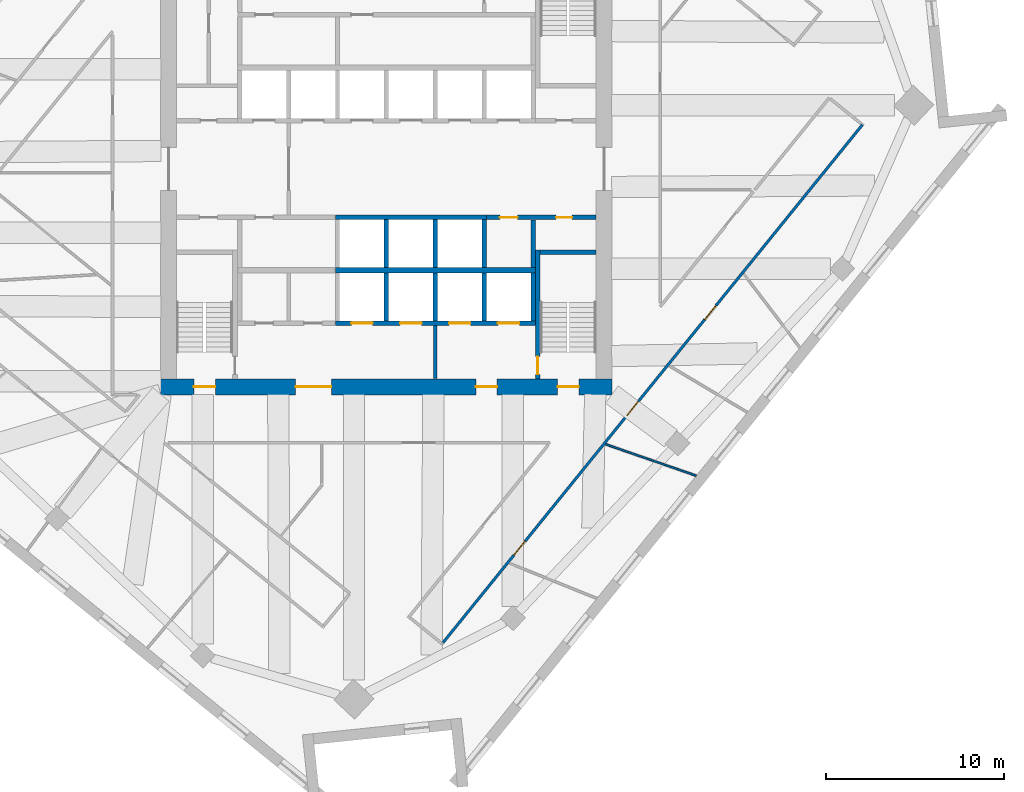
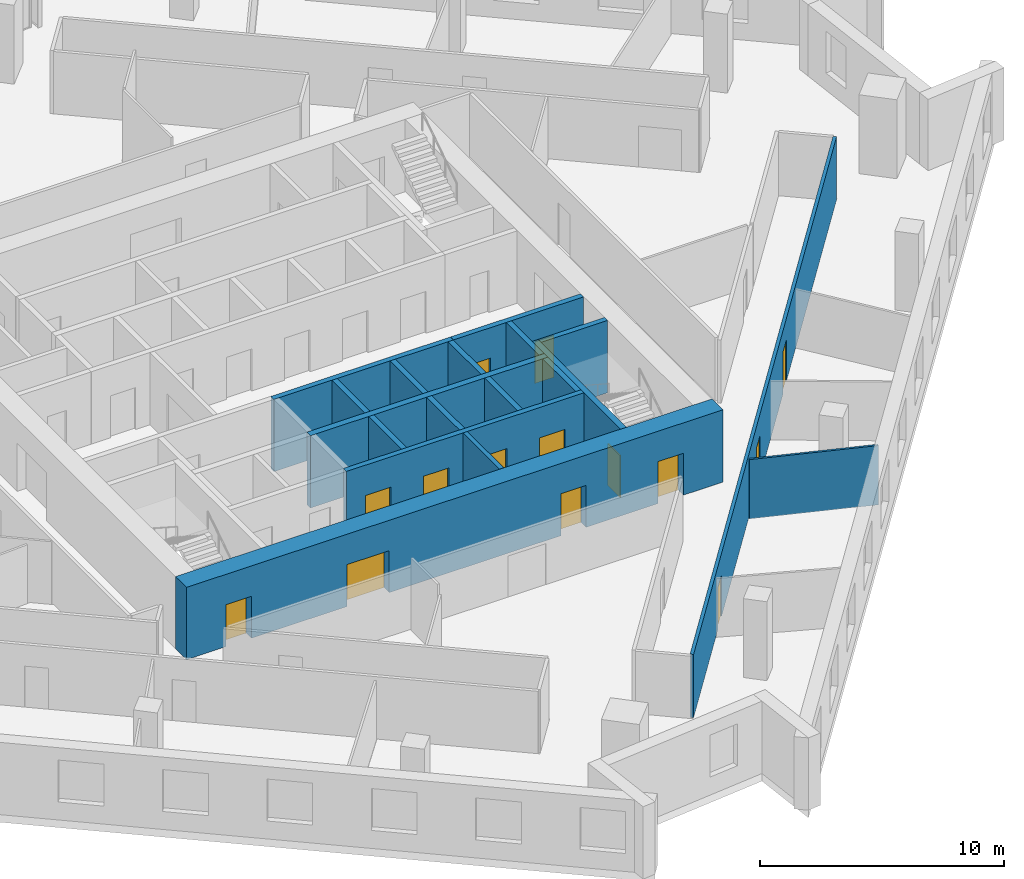
# One storey, part 8 of 14: 18 walls, 14 doors, 14 openings.
"""IFC4 building model written with IfcOpenShell, lengths in metres."""

from ifc_helpers import new_model, si_unit, direction, frame, frame_2d, origin, place, context, subcontext, project, spatial, rectangle, extrude, material, layer, layer_set, type_object, element, fill, save


model = new_model("IFC4")

# Units and contexts
model_context = context("Model", 3, precision=1e-05, world=origin(), true_north=direction((0.0, 1.0)))
body_context = subcontext(model_context, "Body", "Model", "MODEL_VIEW")
ifc_project = project(units=[si_unit("LENGTHUNIT", "METRE"), si_unit("AREAUNIT", "SQUARE_METRE"), si_unit("VOLUMEUNIT", "CUBIC_METRE"), si_unit("PLANEANGLEUNIT", "RADIAN"), si_unit("MASSUNIT", "GRAM", prefix="KILO")], contexts=[model_context])

# Site, building, storey
site_placement = place(None, origin())
site = spatial("IfcSite", under=ifc_project, at=site_placement, CompositionType="ELEMENT")
building_placement = place(site_placement, origin())
building = spatial("IfcBuilding", under=site, at=building_placement, Name="Dilmun Exchange Tower", CompositionType="ELEMENT")
storey_placement = place(building_placement, frame((0.0, 0.0, 229.300048828125)))
storey = spatial("IfcBuildingStorey", under=building, at=storey_placement, Name="L54", CompositionType="ELEMENT", Elevation=229.300048828125)

# Walls
ifc_material_1 = material(Name="Concrete C40/50", Category="concrete")
ifc_layer_1 = layer(ifc_material_1, 0.199951171875)
ifc_layer_set_1 = layer_set([ifc_layer_1], Name="Concrete C40/50")
wall_type_1 = type_object("IfcWallType", Name="Core partition wall 200", PredefinedType="PARTITIONING", material=ifc_layer_set_1)
wall_1_placement = place(storey_placement, frame((2.75, -11.794921875, 0.0), z_axis=(0.0, 0.0, 1.0), x_axis=(0.0, 1.0, 0.0)))
element("IfcWall", 1, at=wall_1_placement, inside=storey, type_object=wall_type_1, Name="L54 core partition wall 01", PredefinedType="PARTITIONING", context=body_context, shape_type="SweptSolid", body=[
    extrude(rectangle(XDim=2.989990234375, YDim=0.199951171875, at=frame_2d((1.4951171875, 0.0))), origin(), (0.0, 0.0, 1.0), 3.619873046875),
])
ifc_layer_2 = layer(ifc_material_1, 0.25)
ifc_layer_set_2 = layer_set([ifc_layer_2], Name="Concrete C40/50")
wall_type_2 = type_object("IfcWallType", Name="Core partition wall 250", PredefinedType="PARTITIONING", material=ifc_layer_set_2)
wall_2_placement = place(storey_placement, frame((8.25, -5.544921875, 0.0), z_axis=(0.0, 0.0, 1.0), x_axis=(0.0, 1.0, 0.0)))
element("IfcWall", 2, at=wall_2_placement, inside=storey, type_object=wall_type_2, Name="L54 core partition wall 07", PredefinedType="PARTITIONING", context=body_context, shape_type="SweptSolid", body=[
    extrude(rectangle(XDim=2.68994140625, YDim=0.25, at=frame_2d((1.344970703125, 0.0))), origin(), (0.0, 0.0, 1.0), 3.619873046875),
])

# Wall, openings, doors
wall_3_placement = place(storey_placement, frame((5.6298828125, -2.72509765625, 0.0), z_axis=(0.0, 0.0, 1.0), x_axis=(1.0, 0.0, 0.0)))
wall_3 = element("IfcWall", 3, at=wall_3_placement, inside=storey, type_object=wall_type_2, Name="L54 core partition wall 09", PredefinedType="PARTITIONING", context=body_context, shape_type="SweptSolid", body=[
    extrude(rectangle(XDim=6.1650390625, YDim=0.25, at=frame_2d((3.08251953125, 0.0))), origin(), (0.0, 0.0, 1.0), 3.619873046875),
])
opening_1_placement = place(wall_3_placement, frame((0.7451171875, 0.0, 0.0)))
opening_1 = element("IfcOpeningElement", 4, at=opening_1_placement, cuts=wall_3, Name="Opening CD4", PredefinedType="OPENING", context=body_context, shape_type="SweptSolid", body=[
    extrude(rectangle(XDim=1.0, YDim=2.10009765625, at=frame_2d((0.5, 1.050048828125))), frame((0.0, 0.135009765625, 0.0), z_axis=(0.0, -1.0, 0.0), x_axis=(1.0, 0.0, 0.0)), (0.0, 0.0, 1.0), 0.27001953125),
])
opening_2_placement = place(wall_3_placement, frame((3.919921875, 0.0, 0.0)))
opening_2 = element("IfcOpeningElement", 5, at=opening_2_placement, cuts=wall_3, Name="Opening CD6", PredefinedType="OPENING", context=body_context, shape_type="SweptSolid", body=[
    extrude(rectangle(XDim=0.89990234375, YDim=2.10009765625, at=frame_2d((0.449951171875, 1.050048828125))), frame((0.0, 0.135009765625, 0.0), z_axis=(0.0, -1.0, 0.0), x_axis=(1.0, 0.0, 0.0)), (0.0, 0.0, 1.0), 0.27001953125),
])
ifc_material_2 = material(Name="Fire-rated steel door set", Category="steel")
door_type_1 = type_object("IfcDoorType", Name="Core room door 1000x2100", OperationType="SINGLE_SWING_LEFT", PredefinedType="DOOR", material=ifc_material_2)
door_1_placement = place(opening_1_placement, origin())
door_1 = element("IfcDoor", 6, at=door_1_placement, inside=storey, type_object=door_type_1, Name="L54 door Cleaners' store", OperationType="SINGLE_SWING_LEFT", OverallHeight=2.10009765625, OverallWidth=1.0, PredefinedType="DOOR", context=body_context, shape_type="SweptSolid", body=[
    extrude(rectangle(XDim=1.0, YDim=2.10009765625, at=frame_2d((0.5, 1.050048828125))), frame((0.0, 0.02490234375, 0.0), z_axis=(0.0, -1.0, 0.0), x_axis=(1.0, 0.0, 0.0)), (0.0, 0.0, 1.0), 0.050048828125),
])
fill(opening_1, door_1)
door_type_2 = type_object("IfcDoorType", Name="Core room door 900x2100", OperationType="SINGLE_SWING_LEFT", PredefinedType="DOOR", material=ifc_material_2)
door_2_placement = place(opening_2_placement, origin())
door_2 = element("IfcDoor", 7, at=door_2_placement, inside=storey, type_object=door_type_2, Name="L54 door Comms riser", OperationType="SINGLE_SWING_LEFT", OverallHeight=2.10009765625, OverallWidth=0.89990234375, PredefinedType="DOOR", context=body_context, shape_type="SweptSolid", body=[
    extrude(rectangle(XDim=0.89990234375, YDim=2.10009765625, at=frame_2d((0.449951171875, 1.050048828125))), frame((0.0, 0.02490234375, 0.0), z_axis=(0.0, -1.0, 0.0), x_axis=(1.0, 0.0, 0.0)), (0.0, 0.0, 1.0), 0.050048828125),
])
fill(opening_2, door_2)

ifc_material_3 = material(Name="Concrete C60/75", Category="concrete")
ifc_layer_3 = layer(ifc_material_3, 0.89990234375)
ifc_layer_set_3 = layer_set([ifc_layer_3], Name="Concrete C60/75")
wall_type_3 = type_object("IfcWallType", Name="Core shear wall 900 Concrete C60/75", PredefinedType="SHEAR", material=ifc_layer_set_3)
wall_4_placement = place(storey_placement, frame((-12.699951171875, -12.25, 0.0), z_axis=(0.0, 0.0, 1.0), x_axis=(1.0, 0.0, 0.0)))
wall_4 = element("IfcWall", 8, at=wall_4_placement, inside=storey, type_object=wall_type_3, Name="L54 core shear wall S", PredefinedType="SHEAR", context=body_context, shape_type="SweptSolid", body=[
    extrude(rectangle(XDim=25.39990234375, YDim=0.89990234375, at=frame_2d((12.699951171875, 0.0))), origin(), (0.0, 0.0, 1.0), 3.619873046875),
])
opening_3_placement = place(wall_4_placement, frame((7.60009765625, 0.0, 0.0)))
opening_3 = element("IfcOpeningElement", 9, at=opening_3_placement, cuts=wall_4, Name="Opening CD2", PredefinedType="OPENING", context=body_context, shape_type="SweptSolid", body=[
    extrude(rectangle(XDim=2.0, YDim=2.10009765625, at=frame_2d((1.0, 1.050048828125))), frame((0.0, 0.4599609375, 0.0), z_axis=(0.0, -1.0, 0.0), x_axis=(1.0, 0.0, 0.0)), (0.0, 0.0, 1.0), 0.919921875),
])
opening_4_placement = place(wall_4_placement, frame((17.72509765625, 0.0, 0.0)))
opening_4 = element("IfcOpeningElement", 10, at=opening_4_placement, cuts=wall_4, Name="Opening CD3", PredefinedType="OPENING", context=body_context, shape_type="SweptSolid", body=[
    extrude(rectangle(XDim=1.199951171875, YDim=2.10009765625, at=frame_2d((0.60009765625, 1.050048828125))), frame((0.0, 0.4599609375, 0.0), z_axis=(0.0, -1.0, 0.0), x_axis=(1.0, 0.0, 0.0)), (0.0, 0.0, 1.0), 0.919921875),
])
opening_5_placement = place(wall_4_placement, frame((1.875, 0.0, 0.0)))
opening_5 = element("IfcOpeningElement", 11, at=opening_5_placement, cuts=wall_4, Name="Opening CD3", PredefinedType="OPENING", context=body_context, shape_type="SweptSolid", body=[
    extrude(rectangle(XDim=1.199951171875, YDim=2.10009765625, at=frame_2d((0.60009765625, 1.050048828125))), frame((0.0, 0.4599609375, 0.0), z_axis=(0.0, -1.0, 0.0), x_axis=(1.0, 0.0, 0.0)), (0.0, 0.0, 1.0), 0.919921875),
])
opening_6_placement = place(wall_4_placement, frame((22.324951171875, 0.0, 0.0)))
opening_6 = element("IfcOpeningElement", 12, at=opening_6_placement, cuts=wall_4, Name="Opening CD3", PredefinedType="OPENING", context=body_context, shape_type="SweptSolid", body=[
    extrude(rectangle(XDim=1.199951171875, YDim=2.10009765625, at=frame_2d((0.60009765625, 1.050048828125))), frame((0.0, 0.4599609375, 0.0), z_axis=(0.0, -1.0, 0.0), x_axis=(1.0, 0.0, 0.0)), (0.0, 0.0, 1.0), 0.919921875),
])
door_type_3 = type_object("IfcDoorType", Name="Core service door 2000x2100", OperationType="DOUBLE_DOOR_DOUBLE_SWING", PredefinedType="DOOR", material=ifc_material_2)
door_3_placement = place(opening_3_placement, origin())
door_3 = element("IfcDoor", 13, at=door_3_placement, inside=storey, type_object=door_type_3, Name="L54 door South service lobby", OperationType="SINGLE_SWING_LEFT", OverallHeight=2.10009765625, OverallWidth=2.0, PredefinedType="DOOR", context=body_context, shape_type="SweptSolid", body=[
    extrude(rectangle(XDim=2.0, YDim=2.10009765625, at=frame_2d((1.0, 1.050048828125))), frame((0.0, 0.02490234375, 0.0), z_axis=(0.0, -1.0, 0.0), x_axis=(1.0, 0.0, 0.0)), (0.0, 0.0, 1.0), 0.050048828125),
])
fill(opening_3, door_3)
door_type_4 = type_object("IfcDoorType", Name="Stair exit door 1200x2100", OperationType="SINGLE_SWING_LEFT", PredefinedType="DOOR", material=ifc_material_2)
door_4_placement = place(opening_4_placement, origin())
door_4 = element("IfcDoor", 14, at=door_4_placement, inside=storey, type_object=door_type_4, Name="L54 door Fire-fighting lobby", OperationType="SINGLE_SWING_LEFT", OverallHeight=2.10009765625, OverallWidth=1.199951171875, PredefinedType="DOOR", context=body_context, shape_type="SweptSolid", body=[
    extrude(rectangle(XDim=1.199951171875, YDim=2.10009765625, at=frame_2d((0.60009765625, 1.050048828125))), frame((0.0, 0.02490234375, 0.0), z_axis=(0.0, -1.0, 0.0), x_axis=(1.0, 0.0, 0.0)), (0.0, 0.0, 1.0), 0.050048828125),
])
fill(opening_4, door_4)
door_5_placement = place(opening_5_placement, origin())
door_5 = element("IfcDoor", 15, at=door_5_placement, inside=storey, type_object=door_type_4, Name="L54 door Stair ST2", OperationType="SINGLE_SWING_LEFT", OverallHeight=2.10009765625, OverallWidth=1.199951171875, PredefinedType="DOOR", context=body_context, shape_type="SweptSolid", body=[
    extrude(rectangle(XDim=1.199951171875, YDim=2.10009765625, at=frame_2d((0.60009765625, 1.050048828125))), frame((0.0, 0.02490234375, 0.0), z_axis=(0.0, -1.0, 0.0), x_axis=(1.0, 0.0, 0.0)), (0.0, 0.0, 1.0), 0.050048828125),
])
fill(opening_5, door_5)
door_6_placement = place(opening_6_placement, origin())
door_6 = element("IfcDoor", 16, at=door_6_placement, inside=storey, type_object=door_type_4, Name="L54 door Stair ST3", OperationType="SINGLE_SWING_LEFT", OverallHeight=2.10009765625, OverallWidth=1.199951171875, PredefinedType="DOOR", context=body_context, shape_type="SweptSolid", body=[
    extrude(rectangle(XDim=1.199951171875, YDim=2.10009765625, at=frame_2d((0.60009765625, 1.050048828125))), frame((0.0, 0.02490234375, 0.0), z_axis=(0.0, -1.0, 0.0), x_axis=(1.0, 0.0, 0.0)), (0.0, 0.0, 1.0), 0.050048828125),
])
fill(opening_6, door_6)

ifc_material_4 = material(Name="Corridor wall 150")
ifc_layer_4 = layer(ifc_material_4, 0.14990234375)
ifc_layer_set_4 = layer_set([ifc_layer_4], Name="Corridor wall 150")
wall_type_4 = type_object("IfcWallType", Name="Corridor wall 150", PredefinedType="PARTITIONING", material=ifc_layer_set_4)
wall_5_placement = place(storey_placement, frame((3.18017578125, -26.642578125, 0.0), z_axis=(0.0, 0.0, 1.0), x_axis=(0.629322822444, 0.777143992547, 0.0)))
wall_5 = element("IfcWall", 17, at=wall_5_placement, inside=storey, type_object=wall_type_4, Name="Corridor wall", PredefinedType="PARTITIONING", context=body_context, shape_type="SweptSolid", body=[
    extrude(rectangle(XDim=37.48291015625, YDim=0.14990234375, at=frame_2d((18.741455078125, 0.0))), origin(), (0.0, 0.0, 1.0), 3.169921875),
])
opening_7_placement = place(wall_5_placement, frame((6.346435546875, 0.0, 0.0)))
opening_7 = element("IfcOpeningElement", 18, at=opening_7_placement, cuts=wall_5, Name="Opening TF53-D16", PredefinedType="OPENING", context=body_context, shape_type="SweptSolid", body=[
    extrude(rectangle(XDim=1.0, YDim=2.10009765625, at=frame_2d((0.5, 1.050048828125))), frame((0.0, 0.0849609375, 0.0), z_axis=(0.0, -1.0, 0.0), x_axis=(1.0, 0.0, 0.0)), (0.0, 0.0, 1.0), 0.169921875),
])
opening_8_placement = place(wall_5_placement, frame((16.4521484375, 0.0, 0.0)))
opening_8 = element("IfcOpeningElement", 19, at=opening_8_placement, cuts=wall_5, Name="Opening TF53-D19", PredefinedType="OPENING", context=body_context, shape_type="SweptSolid", body=[
    extrude(rectangle(XDim=1.0, YDim=2.10009765625, at=frame_2d((0.5, 1.050048828125))), frame((0.0, 0.0849609375, 0.0), z_axis=(0.0, -1.0, 0.0), x_axis=(1.0, 0.0, 0.0)), (0.0, 0.0, 1.0), 0.169921875),
])
opening_9_placement = place(wall_5_placement, frame((23.399658203125, 0.0, 0.0)))
opening_9 = element("IfcOpeningElement", 20, at=opening_9_placement, cuts=wall_5, Name="Opening TF53-D21", PredefinedType="OPENING", context=body_context, shape_type="SweptSolid", body=[
    extrude(rectangle(XDim=1.0, YDim=2.10009765625, at=frame_2d((0.5, 1.050048828125))), frame((0.0, 0.0849609375, 0.0), z_axis=(0.0, -1.0, 0.0), x_axis=(1.0, 0.0, 0.0)), (0.0, 0.0, 1.0), 0.169921875),
])
ifc_material_5 = material(Name="Fire door 1000 x 2100")
door_type_5 = type_object("IfcDoorType", Name="Fire door 1000 x 2100", OperationType="NOTDEFINED", PredefinedType="DOOR", material=ifc_material_5)
door_7_placement = place(opening_7_placement, frame((1.0, 0.0, 0.0), z_axis=(0.0, 0.0, 1.0), x_axis=(-1.0, 0.0, 0.0)))
door_7 = element("IfcDoor", 21, at=door_7_placement, inside=storey, type_object=door_type_5, Name="Door TF53-D16", OperationType="SINGLE_SWING_RIGHT", OverallHeight=2.10009765625, OverallWidth=1.0, PredefinedType="DOOR", context=body_context, shape_type="SweptSolid", body=[
    extrude(rectangle(XDim=1.0, YDim=2.10009765625, at=frame_2d((0.5, 1.050048828125))), frame((0.0, 0.02490234375, 0.0), z_axis=(0.0, -1.0, 0.0), x_axis=(1.0, 0.0, 0.0)), (0.0, 0.0, 1.0), 0.050048828125),
])
fill(opening_7, door_7)
door_8_placement = place(opening_8_placement, frame((1.0, 0.0, 0.0), z_axis=(0.0, 0.0, 1.0), x_axis=(-1.0, 0.0, 0.0)))
door_8 = element("IfcDoor", 22, at=door_8_placement, inside=storey, type_object=door_type_5, Name="Door TF53-D19", OperationType="SINGLE_SWING_RIGHT", OverallHeight=2.10009765625, OverallWidth=1.0, PredefinedType="DOOR", context=body_context, shape_type="SweptSolid", body=[
    extrude(rectangle(XDim=1.0, YDim=2.10009765625, at=frame_2d((0.5, 1.050048828125))), frame((0.0, 0.02490234375, 0.0), z_axis=(0.0, -1.0, 0.0), x_axis=(1.0, 0.0, 0.0)), (0.0, 0.0, 1.0), 0.050048828125),
])
fill(opening_8, door_8)
door_9_placement = place(opening_9_placement, frame((1.0, 0.0, 0.0), z_axis=(0.0, 0.0, 1.0), x_axis=(-1.0, 0.0, 0.0)))
door_9 = element("IfcDoor", 23, at=door_9_placement, inside=storey, type_object=door_type_5, Name="Door TF53-D21", OperationType="SINGLE_SWING_LEFT", OverallHeight=2.10009765625, OverallWidth=1.0, PredefinedType="DOOR", context=body_context, shape_type="SweptSolid", body=[
    extrude(rectangle(XDim=1.0, YDim=2.10009765625, at=frame_2d((0.5, 1.050048828125))), frame((0.0, 0.02490234375, 0.0), z_axis=(0.0, -1.0, 0.0), x_axis=(1.0, 0.0, 0.0)), (0.0, 0.0, 1.0), 0.050048828125),
])
fill(opening_9, door_9)

# Walls
ifc_layer_5 = layer(ifc_material_1, 0.300048828125)
ifc_layer_set_5 = layer_set([ifc_layer_5], Name="Concrete C40/50")
wall_type_5 = type_object("IfcWallType", Name="Lift shaft shared wall 300", PredefinedType="SOLIDWALL", material=ifc_layer_set_5)
wall_6_placement = place(storey_placement, frame((-2.875, -5.699951171875, 0.0), z_axis=(0.0, 0.0, 1.0), x_axis=(1.0, 0.0, 0.0)))
element("IfcWall", 24, at=wall_6_placement, inside=storey, type_object=wall_type_5, Name="L54 lift shaft rear wall S", PredefinedType="SOLIDWALL", context=body_context, shape_type="SweptSolid", body=[
    extrude(rectangle(XDim=11.25, YDim=0.300048828125, at=frame_2d((5.625, 0.0))), origin(), (0.0, 0.0, 1.0), 3.619873046875),
])
ifc_layer_6 = layer(ifc_material_1, 0.25)
ifc_layer_set_6 = layer_set([ifc_layer_6], Name="Concrete C40/50")
wall_type_6 = type_object("IfcWallType", Name="Lift shaft wall 250", PredefinedType="SOLIDWALL", material=ifc_layer_set_6)
wall_7_placement = place(storey_placement, frame((-2.875, -2.72509765625, 0.0), z_axis=(0.0, 0.0, 1.0), x_axis=(1.0, 0.0, 0.0)))
element("IfcWall", 25, at=wall_7_placement, inside=storey, type_object=wall_type_6, Name="L54 lift shaft front wall S1", PredefinedType="SOLIDWALL", context=body_context, shape_type="SweptSolid", body=[
    extrude(rectangle(XDim=8.5, YDim=0.25, at=frame_2d((4.25, 0.0))), origin(), (0.0, 0.0, 1.0), 3.619873046875),
])
for number, where, z_axis, x_axis, name in (
    (26, (0.0, -5.550048828125, 0.0), (0.0, 0.0, 1.0), (0.0, 1.0, 0.0), "L54 lift shaft divider S13"),
    (27, (2.75, -5.550048828125, 0.0), (0.0, 0.0, 1.0), (0.0, 1.0, 0.0), "L54 lift shaft divider S14"),
    (28, (5.5, -5.550048828125, 0.0), (0.0, 0.0, 1.0), (0.0, 1.0, 0.0), "L54 lift shaft divider S15"),
):
    element("IfcWall", number, at=place(storey_placement, frame(where, z_axis=z_axis, x_axis=x_axis)), inside=storey, type_object=wall_type_6, Name=name, PredefinedType="SOLIDWALL", context=body_context, shape_type="SweptSolid", body=[
        extrude(rectangle(XDim=2.699951171875, YDim=0.25, at=frame_2d((1.35009765625, 0.0))), origin(), (0.0, 0.0, 1.0), 3.619873046875),
    ])

# Wall, openings, doors
wall_8_placement = place(storey_placement, frame((-2.875, -8.675048828125, 0.0), z_axis=(0.0, 0.0, 1.0), x_axis=(1.0, 0.0, 0.0)))
wall_8 = element("IfcWall", 29, at=wall_8_placement, inside=storey, type_object=wall_type_6, Name="L54 lift shaft front wall S2", PredefinedType="SOLIDWALL", context=body_context, shape_type="SweptSolid", body=[
    extrude(rectangle(XDim=11.25, YDim=0.25, at=frame_2d((5.625, 0.0))), origin(), (0.0, 0.0, 1.0), 3.619873046875),
])
opening_10_placement = place(wall_8_placement, frame((0.89990234375, 0.0, 0.0)))
opening_10 = element("IfcOpeningElement", 30, at=opening_10_placement, cuts=wall_8, Name="Opening LD", PredefinedType="OPENING", context=body_context, shape_type="SweptSolid", body=[
    extrude(rectangle(XDim=1.199951171875, YDim=2.10009765625, at=frame_2d((0.60009765625, 1.050048828125))), frame((0.0, 0.135009765625, 0.0), z_axis=(0.0, -1.0, 0.0), x_axis=(1.0, 0.0, 0.0)), (0.0, 0.0, 1.0), 0.27001953125),
])
opening_11_placement = place(wall_8_placement, frame((3.64990234375, 0.0, 0.0)))
opening_11 = element("IfcOpeningElement", 31, at=opening_11_placement, cuts=wall_8, Name="Opening LD", PredefinedType="OPENING", context=body_context, shape_type="SweptSolid", body=[
    extrude(rectangle(XDim=1.199951171875, YDim=2.10009765625, at=frame_2d((0.60009765625, 1.050048828125))), frame((0.0, 0.135009765625, 0.0), z_axis=(0.0, -1.0, 0.0), x_axis=(1.0, 0.0, 0.0)), (0.0, 0.0, 1.0), 0.27001953125),
])
opening_12_placement = place(wall_8_placement, frame((6.39990234375, 0.0, 0.0)))
opening_12 = element("IfcOpeningElement", 32, at=opening_12_placement, cuts=wall_8, Name="Opening LD", PredefinedType="OPENING", context=body_context, shape_type="SweptSolid", body=[
    extrude(rectangle(XDim=1.199951171875, YDim=2.10009765625, at=frame_2d((0.60009765625, 1.050048828125))), frame((0.0, 0.135009765625, 0.0), z_axis=(0.0, -1.0, 0.0), x_axis=(1.0, 0.0, 0.0)), (0.0, 0.0, 1.0), 0.27001953125),
])
opening_13_placement = place(wall_8_placement, frame((9.14990234375, 0.0, 0.0)))
opening_13 = element("IfcOpeningElement", 33, at=opening_13_placement, cuts=wall_8, Name="Opening LD", PredefinedType="OPENING", context=body_context, shape_type="SweptSolid", body=[
    extrude(rectangle(XDim=1.199951171875, YDim=2.10009765625, at=frame_2d((0.60009765625, 1.050048828125))), frame((0.0, 0.135009765625, 0.0), z_axis=(0.0, -1.0, 0.0), x_axis=(1.0, 0.0, 0.0)), (0.0, 0.0, 1.0), 0.27001953125),
])
door_type_6 = type_object("IfcDoorType", Name="Lift landing door 1200x2100", OperationType="DOUBLE_DOOR_SLIDING", PredefinedType="DOOR", material=ifc_material_2)
door_10_placement = place(opening_10_placement, origin())
door_10 = element("IfcDoor", 34, at=door_10_placement, inside=storey, type_object=door_type_6, Name="L54 landing door SV1", OperationType="DOUBLE_DOOR_SLIDING", OverallHeight=2.10009765625, OverallWidth=1.199951171875, PredefinedType="DOOR", context=body_context, shape_type="SweptSolid", body=[
    extrude(rectangle(XDim=1.199951171875, YDim=2.10009765625, at=frame_2d((0.60009765625, 1.050048828125))), frame((0.0, 0.02490234375, 0.0), z_axis=(0.0, -1.0, 0.0), x_axis=(1.0, 0.0, 0.0)), (0.0, 0.0, 1.0), 0.050048828125),
])
fill(opening_10, door_10)
door_11_placement = place(opening_11_placement, origin())
door_11 = element("IfcDoor", 35, at=door_11_placement, inside=storey, type_object=door_type_6, Name="L54 landing door SV2", OperationType="DOUBLE_DOOR_SLIDING", OverallHeight=2.10009765625, OverallWidth=1.199951171875, PredefinedType="DOOR", context=body_context, shape_type="SweptSolid", body=[
    extrude(rectangle(XDim=1.199951171875, YDim=2.10009765625, at=frame_2d((0.60009765625, 1.050048828125))), frame((0.0, 0.02490234375, 0.0), z_axis=(0.0, -1.0, 0.0), x_axis=(1.0, 0.0, 0.0)), (0.0, 0.0, 1.0), 0.050048828125),
])
fill(opening_11, door_11)
door_12_placement = place(opening_12_placement, origin())
door_12 = element("IfcDoor", 36, at=door_12_placement, inside=storey, type_object=door_type_6, Name="L54 landing door FF1", OperationType="DOUBLE_DOOR_SLIDING", OverallHeight=2.10009765625, OverallWidth=1.199951171875, PredefinedType="DOOR", context=body_context, shape_type="SweptSolid", body=[
    extrude(rectangle(XDim=1.199951171875, YDim=2.10009765625, at=frame_2d((0.60009765625, 1.050048828125))), frame((0.0, 0.02490234375, 0.0), z_axis=(0.0, -1.0, 0.0), x_axis=(1.0, 0.0, 0.0)), (0.0, 0.0, 1.0), 0.050048828125),
])
fill(opening_12, door_12)
door_13_placement = place(opening_13_placement, origin())
door_13 = element("IfcDoor", 37, at=door_13_placement, inside=storey, type_object=door_type_6, Name="L54 landing door FF2", OperationType="DOUBLE_DOOR_SLIDING", OverallHeight=2.10009765625, OverallWidth=1.199951171875, PredefinedType="DOOR", context=body_context, shape_type="SweptSolid", body=[
    extrude(rectangle(XDim=1.199951171875, YDim=2.10009765625, at=frame_2d((0.60009765625, 1.050048828125))), frame((0.0, 0.02490234375, 0.0), z_axis=(0.0, -1.0, 0.0), x_axis=(1.0, 0.0, 0.0)), (0.0, 0.0, 1.0), 0.050048828125),
])
fill(opening_13, door_13)

# Walls
for number, where, z_axis, x_axis, name in (
    (38, (0.0, -8.550048828125, 0.0), (0.0, 0.0, 1.0), (0.0, 1.0, 0.0), "L54 lift shaft divider S23"),
    (39, (2.75, -8.550048828125, 0.0), (0.0, 0.0, 1.0), (0.0, 1.0, 0.0), "L54 lift shaft divider S24"),
    (40, (5.5, -8.550048828125, 0.0), (0.0, 0.0, 1.0), (0.0, 1.0, 0.0), "L54 lift shaft divider S25"),
    (41, (8.25, -8.550048828125, 0.0), (0.0, 0.0, 1.0), (0.0, 1.0, 0.0), "L54 lift shaft divider S26"),
):
    element("IfcWall", number, at=place(storey_placement, frame(where, z_axis=z_axis, x_axis=x_axis)), inside=storey, type_object=wall_type_6, Name=name, PredefinedType="SOLIDWALL", context=body_context, shape_type="SweptSolid", body=[
        extrude(rectangle(XDim=2.699951171875, YDim=0.25, at=frame_2d((1.35009765625, 0.0))), origin(), (0.0, 0.0, 1.0), 3.619873046875),
    ])
ifc_material_6 = material(Name="Partition 100")
ifc_layer_7 = layer(ifc_material_6, 0.10009765625)
ifc_layer_set_7 = layer_set([ifc_layer_7], Name="Partition 100")
wall_type_7 = type_object("IfcWallType", Name="Partition 100", PredefinedType="PARTITIONING", material=ifc_layer_set_7)
wall_9_placement = place(storey_placement, frame((12.33642578125, -15.482177734375, 0.0), z_axis=(0.0, 0.0, 1.0), x_axis=(0.94462938415, -0.328139187845, 0.0)))
element("IfcWall", 42, at=wall_9_placement, inside=storey, type_object=wall_type_7, Name="Partition", PredefinedType="PARTITIONING", context=body_context, shape_type="SweptSolid", body=[
    extrude(rectangle(XDim=5.387451171875, YDim=0.10009765625, at=frame_2d((2.69384765625, 0.0))), origin(), (0.0, 0.0, 1.0), 2.969970703125),
])
ifc_layer_8 = layer(ifc_material_1, 0.25)
ifc_layer_set_8 = layer_set([ifc_layer_8], Name="Concrete C40/50")
wall_type_8 = type_object("IfcWallType", Name="Stair end wall 250", PredefinedType="SOLIDWALL", material=ifc_layer_set_8)
wall_10_placement = place(storey_placement, frame((8.64990234375, -4.675048828125, 0.0), z_axis=(0.0, 0.0, 1.0), x_axis=(1.0, 0.0, 0.0)))
element("IfcWall", 43, at=wall_10_placement, inside=storey, type_object=wall_type_8, Name="L54 ST3 far wall", PredefinedType="SOLIDWALL", context=body_context, shape_type="SweptSolid", body=[
    extrude(rectangle(XDim=3.150146484375, YDim=0.25, at=frame_2d((1.5751953125, 0.0))), origin(), (0.0, 0.0, 1.0), 3.619873046875),
])

# Wall, opening, door
ifc_layer_9 = layer(ifc_material_1, 0.27490234375)
ifc_layer_set_9 = layer_set([ifc_layer_9], Name="Concrete C40/50")
wall_type_9 = type_object("IfcWallType", Name="Stair wall 275", PredefinedType="SOLIDWALL", material=ifc_layer_set_9)
wall_11_placement = place(storey_placement, frame((8.512451171875, -4.550048828125, 0.0), z_axis=(0.0, 0.0, 1.0), x_axis=(0.0, -1.0, 0.0)))
wall_11 = element("IfcWall", 44, at=wall_11_placement, inside=storey, type_object=wall_type_9, Name="L54 ST3 wall to lift block", PredefinedType="SOLIDWALL", context=body_context, shape_type="SweptSolid", body=[
    extrude(rectangle(XDim=7.25, YDim=0.27490234375, at=frame_2d((3.625, 0.0))), origin(), (0.0, 0.0, 1.0), 3.619873046875),
])
opening_14_placement = place(wall_11_placement, frame((6.0, 0.0, 0.0)))
opening_14 = element("IfcOpeningElement", 45, at=opening_14_placement, cuts=wall_11, Name="Opening CD4", PredefinedType="OPENING", context=body_context, shape_type="SweptSolid", body=[
    extrude(rectangle(XDim=1.0, YDim=2.10009765625, at=frame_2d((0.5, 1.050048828125))), frame((0.0, 0.1474609375, 0.0), z_axis=(0.0, -1.0, 0.0), x_axis=(1.0, 0.0, 0.0)), (0.0, 0.0, 1.0), 0.294921875),
])
door_14_placement = place(opening_14_placement, origin())
door_14 = element("IfcDoor", 46, at=door_14_placement, inside=storey, type_object=door_type_1, Name="L54 door ST3 from lobby", OperationType="SINGLE_SWING_LEFT", OverallHeight=2.10009765625, OverallWidth=1.0, PredefinedType="DOOR", context=body_context, shape_type="SweptSolid", body=[
    extrude(rectangle(XDim=1.0, YDim=2.10009765625, at=frame_2d((0.5, 1.050048828125))), frame((0.0, 0.02490234375, 0.0), z_axis=(0.0, -1.0, 0.0), x_axis=(1.0, 0.0, 0.0)), (0.0, 0.0, 1.0), 0.050048828125),
])
fill(opening_14, door_14)

save(model, "model.ifc")
